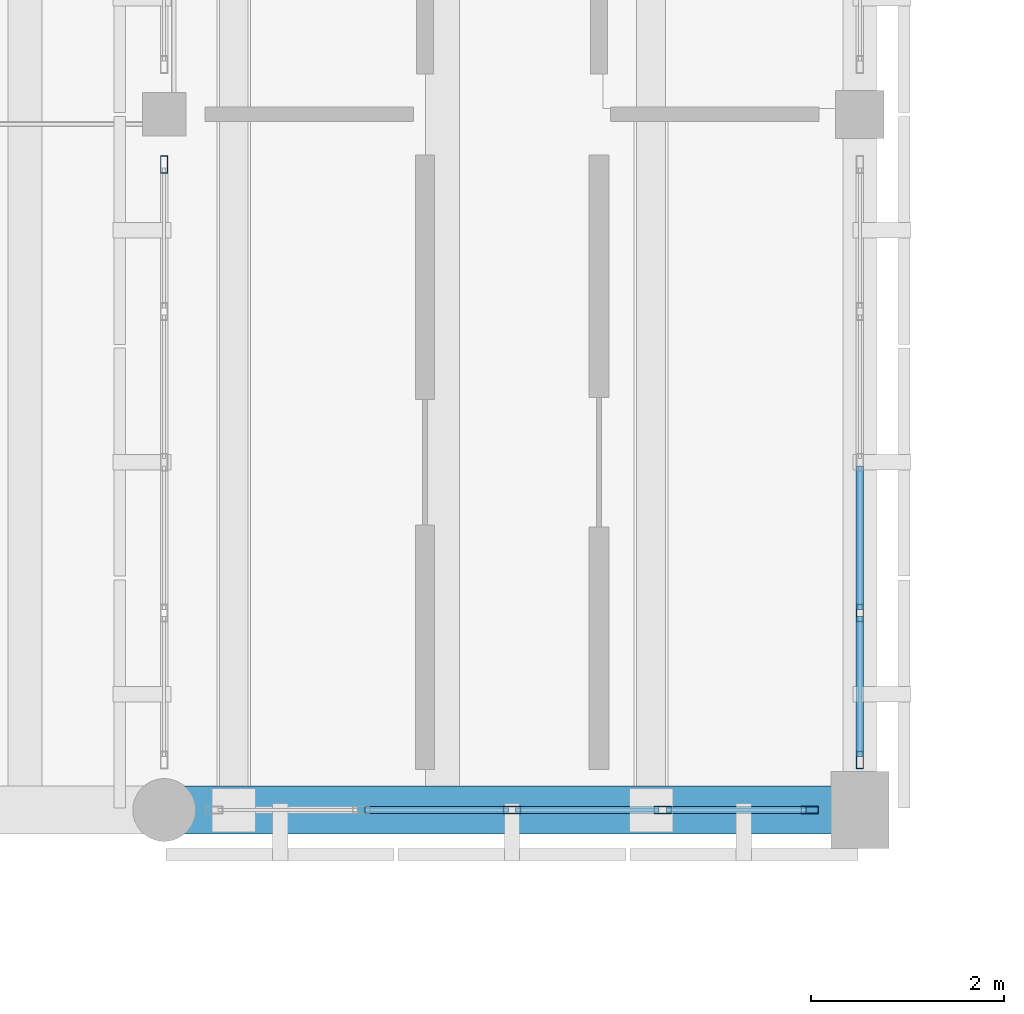
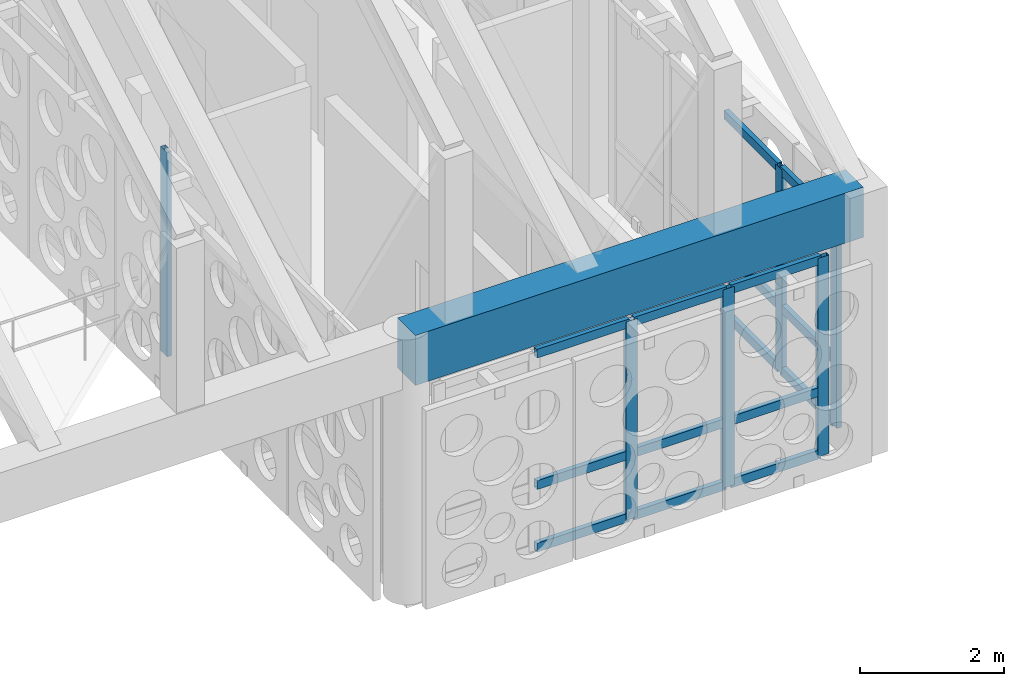
# One storey, part 39 of 171: 21 members, 1 beam, 3 elements without a shape of their own.
"""IFC4 building model written with IfcOpenShell, lengths in metres."""

from ifc_helpers import new_model, si_unit, direction, frame, origin, origin_2d, place, context, subcontext, project, spatial, rectangle, hollow_rectangle, extrude, material, material_profile, profile_set, type_object, element, aggregate, save


model = new_model("IFC4")

# Units and contexts
model_context = context("Model", 3, precision=1e-05, world=origin(), true_north=direction((0.0, 1.0)))
body_context = subcontext(model_context, "Body", "Model", "MODEL_VIEW")
ifc_project = project(units=[si_unit("LENGTHUNIT", "METRE"), si_unit("AREAUNIT", "SQUARE_METRE"), si_unit("VOLUMEUNIT", "CUBIC_METRE"), si_unit("PLANEANGLEUNIT", "RADIAN"), si_unit("MASSUNIT", "GRAM", prefix="KILO")], contexts=[model_context])

# Site, building, storey
site_placement = place(None, origin())
site = spatial("IfcSite", under=ifc_project, at=site_placement, CompositionType="ELEMENT")
building_placement = place(site_placement, origin())
building = spatial("IfcBuilding", under=site, at=building_placement, Name="Aldebral Square Health Centre", CompositionType="ELEMENT")
storey_placement = place(building_placement, frame((0.0, 0.0, 4.5)))
storey = spatial("IfcBuildingStorey", under=building, at=storey_placement, Name="L01", CompositionType="ELEMENT", Elevation=4.5)

# Beam
ifc_material_1 = material(Name="Concrete C40/50", Category="concrete")
ifc_material_profile_1 = material_profile(ifc_material_1, rectangle(XDim=0.5, YDim=0.85009765625, at=origin_2d()), Name="RC 500x850")
ifc_profile_set_1 = profile_set([ifc_material_profile_1], Name="Concrete C40/50")
beam_type = type_object("IfcBeamType", Name="BM-G1", PredefinedType="T_BEAM", material=ifc_profile_set_1)
beam_placement = place(storey_placement, frame((100.800048828125, 72.0, 4.074951171875), z_axis=(1.0, 0.0, 0.0), x_axis=(0.0, 1.0, 0.0)))
element("IfcBeam", 1, at=beam_placement, inside=storey, type_object=beam_type, Name="Waiting Hall diaphragm girder EAVE-S 15", PredefinedType="T_BEAM", context=body_context, shape_type="SweptSolid", body=[
    extrude(rectangle(XDim=0.5, YDim=0.85009765625, at=origin_2d()), origin(), (0.0, 0.0, 1.0), 7.199951171875),
])

# Curtain wall, members
ifc_material_2 = material(Name="Aluminium and low-E solar glass", Category="aluminium")
curtain_wall_type = type_object("IfcCurtainWallType", Name="CW-HALL-SYS", PredefinedType="USERDEFINED", material=ifc_material_2)
curtain_wall_1_placement = place(storey_placement, origin())
curtain_wall_1 = element("IfcCurtainWall", 2, at=curtain_wall_1_placement, inside=storey, type_object=curtain_wall_type, Name="L01 V1 hall curtain wall L01-V1-14-10-S", ObjectType="HALL_CURTAIN_WALL", PredefinedType="USERDEFINED")
ifc_material_3 = material(Name="Anodised aluminium mullion", Category="aluminium")
ifc_material_profile_2 = material_profile(ifc_material_3, hollow_rectangle(XDim=0.074951171875, YDim=0.179931640625, WallThickness=0.00390625, at=origin_2d()), Name="CWM 75x180x4")
ifc_profile_set_2 = profile_set([ifc_material_profile_2], Name="Anodised aluminium mullion")
member_type_1 = type_object("IfcMemberType", Name="CWM-STD", PredefinedType="MULLION", material=ifc_profile_set_2)
member_1_placement = place(storey_placement, frame((104.39990234375, 72.0, 0.0), z_axis=(0.0, 0.0, 1.0), x_axis=(0.0, 1.0, 0.0)))
member_1 = element("IfcMember", 3, at=member_1_placement, type_object=member_type_1, Name="CW2 mullion 3", PredefinedType="MULLION", context=body_context, shape_type="SweptSolid", body=[
    extrude(hollow_rectangle(XDim=0.074951171875, YDim=0.179931640625, WallThickness=0.00390625, at=origin_2d()), origin(), (0.0, 0.0, 1.0), 3.3701171875),
])
member_2_placement = place(storey_placement, frame((105.9599609375, 72.0, 0.0), z_axis=(0.0, 0.0, 1.0), x_axis=(0.0, 1.0, 0.0)))
member_2 = element("IfcMember", 4, at=member_2_placement, type_object=member_type_1, Name="CW2 mullion 4", PredefinedType="MULLION", context=body_context, shape_type="SweptSolid", body=[
    extrude(hollow_rectangle(XDim=0.074951171875, YDim=0.179931640625, WallThickness=0.00390625, at=origin_2d()), origin(), (0.0, 0.0, 1.0), 3.3701171875),
])
member_3_placement = place(storey_placement, frame((107.482421875, 72.0, 0.0), z_axis=(0.0, 0.0, 1.0), x_axis=(0.0, 1.0, 0.0)))
member_3 = element("IfcMember", 5, at=member_3_placement, type_object=member_type_1, Name="CW2 mullion 5", PredefinedType="MULLION", context=body_context, shape_type="SweptSolid", body=[
    extrude(hollow_rectangle(XDim=0.074951171875, YDim=0.179931640625, WallThickness=0.00390625, at=origin_2d()), origin(), (0.0, 0.0, 1.0), 3.3701171875),
])

# Curtain wall, member
curtain_wall_2_placement = place(storey_placement, origin())
curtain_wall_2 = element("IfcCurtainWall", 6, at=curtain_wall_2_placement, inside=storey, type_object=curtain_wall_type, Name="L01 V1 hall curtain wall L01-V1-14-10-W", ObjectType="HALL_CURTAIN_WALL", PredefinedType="USERDEFINED")
member_4_placement = place(storey_placement, frame((100.800048828125, 78.6826171875, 0.0), z_axis=(0.0, 0.0, 1.0), x_axis=(1.0, 0.0, 0.0)))
member_4 = element("IfcMember", 7, at=member_4_placement, type_object=member_type_1, Name="CW2 mullion 1", PredefinedType="MULLION", context=body_context, shape_type="SweptSolid", body=[
    extrude(hollow_rectangle(XDim=0.074951171875, YDim=0.179931640625, WallThickness=0.00390625, at=origin_2d()), origin(), (0.0, 0.0, 1.0), 3.469970703125),
])
aggregate(curtain_wall_2, [member_4])

# Curtain wall, members
curtain_wall_3_placement = place(storey_placement, origin())
curtain_wall_3 = element("IfcCurtainWall", 8, at=curtain_wall_3_placement, inside=storey, type_object=curtain_wall_type, Name="L01 V1 hall curtain wall L01-V1-14-10-E", ObjectType="HALL_CURTAIN_WALL", PredefinedType="USERDEFINED")
member_5_placement = place(storey_placement, frame((108.0, 72.517578125, 0.0), z_axis=(0.0, 0.0, 1.0), x_axis=(-1.0, 0.0, 0.0)))
member_5 = element("IfcMember", 9, at=member_5_placement, type_object=member_type_1, Name="CW2 mullion 1", PredefinedType="MULLION", context=body_context, shape_type="SweptSolid", body=[
    extrude(hollow_rectangle(XDim=0.074951171875, YDim=0.179931640625, WallThickness=0.00390625, at=origin_2d()), origin(), (0.0, 0.0, 1.0), 3.469970703125),
])
member_6_placement = place(storey_placement, frame((108.0, 74.0400390625, 0.0), z_axis=(0.0, 0.0, 1.0), x_axis=(-1.0, 0.0, 0.0)))
member_6 = element("IfcMember", 10, at=member_6_placement, type_object=member_type_1, Name="CW2 mullion 2", PredefinedType="MULLION", context=body_context, shape_type="SweptSolid", body=[
    extrude(hollow_rectangle(XDim=0.074951171875, YDim=0.179931640625, WallThickness=0.00390625, at=origin_2d()), origin(), (0.0, 0.0, 1.0), 3.469970703125),
])

# Member
ifc_material_4 = material(Name="Anodised aluminium transom", Category="aluminium")
ifc_material_profile_3 = material_profile(ifc_material_4, hollow_rectangle(XDim=0.074951171875, YDim=0.14990234375, WallThickness=0.00390625, at=origin_2d()), Name="CWT 75x150x4")
ifc_profile_set_3 = profile_set([ifc_material_profile_3], Name="Anodised aluminium transom")
member_type_2 = type_object("IfcMemberType", Name="CWT-STD", PredefinedType="USERDEFINED", material=ifc_profile_set_3)
member_7_placement = place(storey_placement, frame((102.87744140625, 72.0, 0.03759765625), z_axis=(1.0, 0.0, 0.0), x_axis=(0.0, 1.0, 0.0)))
member_7 = element("IfcMember", 11, at=member_7_placement, type_object=member_type_2, Name="CW2 transom 2.1", ObjectType="TRANSOM", PredefinedType="USERDEFINED", context=body_context, shape_type="SweptSolid", body=[
    extrude(hollow_rectangle(XDim=0.074951171875, YDim=0.14990234375, WallThickness=0.00390625, at=origin_2d()), origin(), (0.0, 0.0, 1.0), 1.485107421875),
])

member_8_placement = place(storey_placement, frame((102.87744140625, 72.0, 1.10009765625), z_axis=(1.0, 0.0, 0.0), x_axis=(0.0, 1.0, 0.0)))
member_8 = element("IfcMember", 12, at=member_8_placement, type_object=member_type_2, Name="CW2 transom 2.2", ObjectType="TRANSOM", PredefinedType="USERDEFINED", context=body_context, shape_type="SweptSolid", body=[
    extrude(hollow_rectangle(XDim=0.074951171875, YDim=0.14990234375, WallThickness=0.00390625, at=origin_2d()), origin(), (0.0, 0.0, 1.0), 1.485107421875),
])

member_9_placement = place(storey_placement, frame((102.87744140625, 72.0, 3.33251953125), z_axis=(1.0, 0.0, 0.0), x_axis=(0.0, 1.0, 0.0)))
member_9 = element("IfcMember", 13, at=member_9_placement, type_object=member_type_2, Name="CW2 transom 2.3", ObjectType="TRANSOM", PredefinedType="USERDEFINED", context=body_context, shape_type="SweptSolid", body=[
    extrude(hollow_rectangle(XDim=0.074951171875, YDim=0.14990234375, WallThickness=0.00390625, at=origin_2d()), origin(), (0.0, 0.0, 1.0), 1.485107421875),
])

member_10_placement = place(storey_placement, frame((104.4375, 72.0, 0.03759765625), z_axis=(1.0, 0.0, 0.0), x_axis=(0.0, 1.0, 0.0)))
member_10 = element("IfcMember", 14, at=member_10_placement, type_object=member_type_2, Name="CW2 transom 3.1", ObjectType="TRANSOM", PredefinedType="USERDEFINED", context=body_context, shape_type="SweptSolid", body=[
    extrude(hollow_rectangle(XDim=0.074951171875, YDim=0.14990234375, WallThickness=0.00390625, at=origin_2d()), origin(), (0.0, 0.0, 1.0), 1.485107421875),
])

member_11_placement = place(storey_placement, frame((104.4375, 72.0, 1.10009765625), z_axis=(1.0, 0.0, 0.0), x_axis=(0.0, 1.0, 0.0)))
member_11 = element("IfcMember", 15, at=member_11_placement, type_object=member_type_2, Name="CW2 transom 3.2", ObjectType="TRANSOM", PredefinedType="USERDEFINED", context=body_context, shape_type="SweptSolid", body=[
    extrude(hollow_rectangle(XDim=0.074951171875, YDim=0.14990234375, WallThickness=0.00390625, at=origin_2d()), origin(), (0.0, 0.0, 1.0), 1.485107421875),
])

member_12_placement = place(storey_placement, frame((104.4375, 72.0, 3.33251953125), z_axis=(1.0, 0.0, 0.0), x_axis=(0.0, 1.0, 0.0)))
member_12 = element("IfcMember", 16, at=member_12_placement, type_object=member_type_2, Name="CW2 transom 3.3", ObjectType="TRANSOM", PredefinedType="USERDEFINED", context=body_context, shape_type="SweptSolid", body=[
    extrude(hollow_rectangle(XDim=0.074951171875, YDim=0.14990234375, WallThickness=0.00390625, at=origin_2d()), origin(), (0.0, 0.0, 1.0), 1.485107421875),
])

member_13_placement = place(storey_placement, frame((105.99755859375, 72.0, 0.03759765625), z_axis=(1.0, 0.0, 0.0), x_axis=(0.0, 1.0, 0.0)))
member_13 = element("IfcMember", 17, at=member_13_placement, type_object=member_type_2, Name="CW2 transom 4.1", ObjectType="TRANSOM", PredefinedType="USERDEFINED", context=body_context, shape_type="SweptSolid", body=[
    extrude(hollow_rectangle(XDim=0.074951171875, YDim=0.14990234375, WallThickness=0.00390625, at=origin_2d()), origin(), (0.0, 0.0, 1.0), 1.447509765625),
])

member_14_placement = place(storey_placement, frame((105.99755859375, 72.0, 1.10009765625), z_axis=(1.0, 0.0, 0.0), x_axis=(0.0, 1.0, 0.0)))
member_14 = element("IfcMember", 18, at=member_14_placement, type_object=member_type_2, Name="CW2 transom 4.2", ObjectType="TRANSOM", PredefinedType="USERDEFINED", context=body_context, shape_type="SweptSolid", body=[
    extrude(hollow_rectangle(XDim=0.074951171875, YDim=0.14990234375, WallThickness=0.00390625, at=origin_2d()), origin(), (0.0, 0.0, 1.0), 1.447509765625),
])

member_15_placement = place(storey_placement, frame((105.99755859375, 72.0, 3.33251953125), z_axis=(1.0, 0.0, 0.0), x_axis=(0.0, 1.0, 0.0)))
member_15 = element("IfcMember", 19, at=member_15_placement, type_object=member_type_2, Name="CW2 transom 4.3", ObjectType="TRANSOM", PredefinedType="USERDEFINED", context=body_context, shape_type="SweptSolid", body=[
    extrude(hollow_rectangle(XDim=0.074951171875, YDim=0.14990234375, WallThickness=0.00390625, at=origin_2d()), origin(), (0.0, 0.0, 1.0), 1.447509765625),
])

aggregate(curtain_wall_1, [member_1, member_2, member_3, member_7, member_8, member_9, member_10, member_11, member_12, member_13, member_14, member_15])

member_16_placement = place(storey_placement, frame((108.0, 72.554931640625, 0.03759765625), z_axis=(0.0, 1.0, 0.0), x_axis=(-1.0, 0.0, 0.0)))
member_16 = element("IfcMember", 20, at=member_16_placement, type_object=member_type_2, Name="CW2 transom 1.1", ObjectType="TRANSOM", PredefinedType="USERDEFINED", context=body_context, shape_type="SweptSolid", body=[
    extrude(hollow_rectangle(XDim=0.074951171875, YDim=0.14990234375, WallThickness=0.00390625, at=origin_2d()), origin(), (0.0, 0.0, 1.0), 1.447509765625),
])

member_17_placement = place(storey_placement, frame((108.0, 72.554931640625, 1.10009765625), z_axis=(0.0, 1.0, 0.0), x_axis=(-1.0, 0.0, 0.0)))
member_17 = element("IfcMember", 21, at=member_17_placement, type_object=member_type_2, Name="CW2 transom 1.2", ObjectType="TRANSOM", PredefinedType="USERDEFINED", context=body_context, shape_type="SweptSolid", body=[
    extrude(hollow_rectangle(XDim=0.074951171875, YDim=0.14990234375, WallThickness=0.00390625, at=origin_2d()), origin(), (0.0, 0.0, 1.0), 1.447509765625),
])

member_18_placement = place(storey_placement, frame((108.0, 72.554931640625, 3.4326171875), z_axis=(0.0, 1.0, 0.0), x_axis=(-1.0, 0.0, 0.0)))
member_18 = element("IfcMember", 22, at=member_18_placement, type_object=member_type_2, Name="CW2 transom 1.3", ObjectType="TRANSOM", PredefinedType="USERDEFINED", context=body_context, shape_type="SweptSolid", body=[
    extrude(hollow_rectangle(XDim=0.074951171875, YDim=0.14990234375, WallThickness=0.00390625, at=origin_2d()), origin(), (0.0, 0.0, 1.0), 1.447509765625),
])

member_19_placement = place(storey_placement, frame((108.0, 74.077392578125, 0.03759765625), z_axis=(0.0, 1.0, 0.0), x_axis=(-1.0, 0.0, 0.0)))
member_19 = element("IfcMember", 23, at=member_19_placement, type_object=member_type_2, Name="CW2 transom 2.1", ObjectType="TRANSOM", PredefinedType="USERDEFINED", context=body_context, shape_type="SweptSolid", body=[
    extrude(hollow_rectangle(XDim=0.074951171875, YDim=0.14990234375, WallThickness=0.00390625, at=origin_2d()), origin(), (0.0, 0.0, 1.0), 1.485107421875),
])

member_20_placement = place(storey_placement, frame((108.0, 74.077392578125, 1.10009765625), z_axis=(0.0, 1.0, 0.0), x_axis=(-1.0, 0.0, 0.0)))
member_20 = element("IfcMember", 24, at=member_20_placement, type_object=member_type_2, Name="CW2 transom 2.2", ObjectType="TRANSOM", PredefinedType="USERDEFINED", context=body_context, shape_type="SweptSolid", body=[
    extrude(hollow_rectangle(XDim=0.074951171875, YDim=0.14990234375, WallThickness=0.00390625, at=origin_2d()), origin(), (0.0, 0.0, 1.0), 1.485107421875),
])

member_21_placement = place(storey_placement, frame((108.0, 74.077392578125, 3.4326171875), z_axis=(0.0, 1.0, 0.0), x_axis=(-1.0, 0.0, 0.0)))
member_21 = element("IfcMember", 25, at=member_21_placement, type_object=member_type_2, Name="CW2 transom 2.3", ObjectType="TRANSOM", PredefinedType="USERDEFINED", context=body_context, shape_type="SweptSolid", body=[
    extrude(hollow_rectangle(XDim=0.074951171875, YDim=0.14990234375, WallThickness=0.00390625, at=origin_2d()), origin(), (0.0, 0.0, 1.0), 1.485107421875),
])

aggregate(curtain_wall_3, [member_5, member_6, member_16, member_17, member_18, member_19, member_20, member_21])

save(model, "model.ifc")
